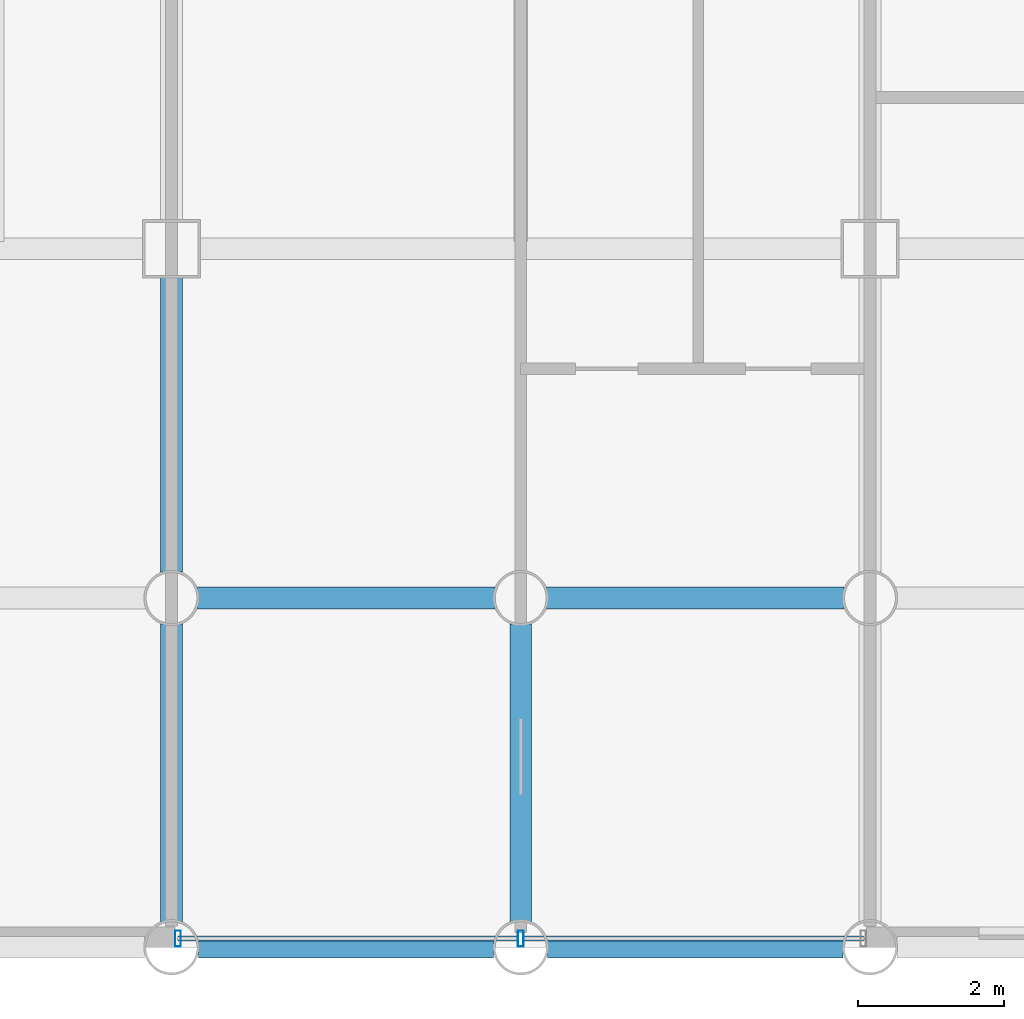
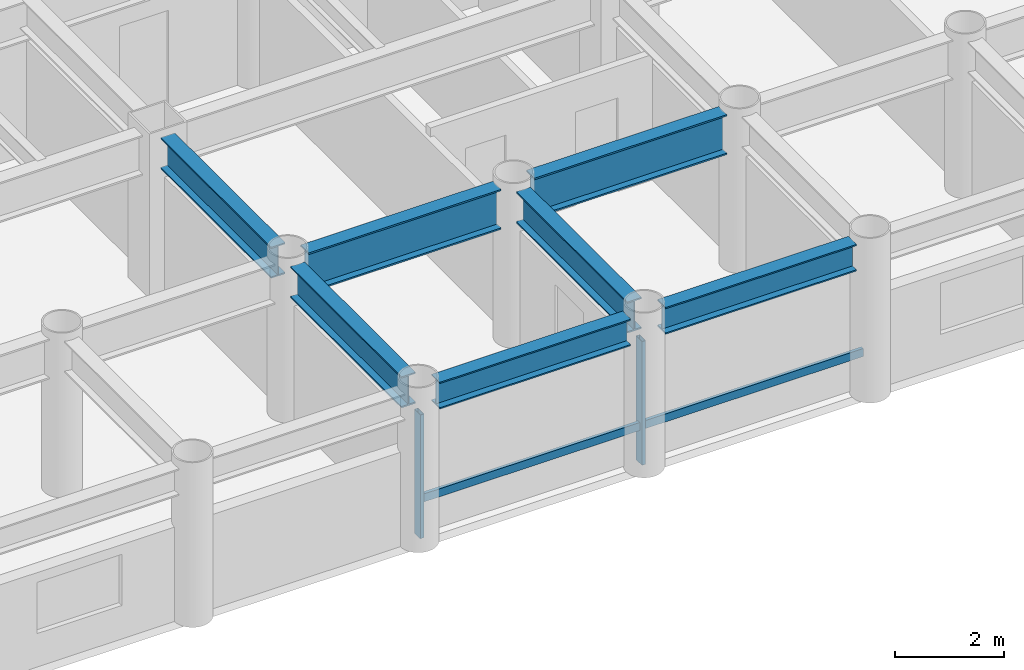
# One storey, part 2 of 20: 7 beams, 4 members, 1 element without a shape of its own.
"""IFC4 building model written with IfcOpenShell, lengths in metres."""

from ifc_helpers import new_model, si_unit, direction, frame, origin, origin_2d, place, context, subcontext, project, spatial, hollow_rectangle, i_section, extrude, material, layer, layer_set, material_profile, profile_set, type_object, element, aggregate, save


model = new_model("IFC4")

# Units and contexts
model_context = context("Model", 3, precision=1e-05, world=origin(), true_north=direction((0.0, 1.0)))
body_context = subcontext(model_context, "Body", "Model", "MODEL_VIEW")
ifc_project = project(units=[si_unit("LENGTHUNIT", "METRE"), si_unit("AREAUNIT", "SQUARE_METRE"), si_unit("VOLUMEUNIT", "CUBIC_METRE"), si_unit("PLANEANGLEUNIT", "RADIAN"), si_unit("MASSUNIT", "GRAM", prefix="KILO")], contexts=[model_context])

# Site, building, storey
site_placement = place(None, origin())
site = spatial("IfcSite", under=ifc_project, at=site_placement, CompositionType="ELEMENT")
building_placement = place(site_placement, origin())
building = spatial("IfcBuilding", under=site, at=building_placement, Name="Kallvorn Hotel Tower", CompositionType="ELEMENT")
storey_placement = place(building_placement, frame((0.0, 0.0, 78.10009765625)))
storey = spatial("IfcBuildingStorey", under=building, at=storey_placement, Name="L18", CompositionType="ELEMENT", Elevation=78.10009765625)

# Beams
ifc_material_1 = material(Name="Structural steel S355JR", Category="steel")
ifc_material_profile_1 = material_profile(ifc_material_1, i_section(OverallWidth=0.300048828125, OverallDepth=0.60009765625, WebThickness=0.015380859375, FlangeThickness=0.030029296875, at=origin_2d()), Name="HE 600 B")
ifc_profile_set_1 = profile_set([ifc_material_profile_1], Name="Structural steel S355JR")
beam_type_1 = type_object("IfcBeamType", Name="BM_HE600B", PredefinedType="SPANDREL", material=ifc_profile_set_1)
for number, where, z_axis, x_axis, name in (
    (1, (-4.428955078125, -24.0, 3.219970703125), (1.0, 0.0, 0.0), (0.0, 1.0, 0.0), "L19 Perimeter Spandrel 155"),
    (2, (0.37109375, -24.0, 3.219970703125), (1.0, 0.0, 0.0), (0.0, 1.0, 0.0), "L19 Perimeter Spandrel 156"),
):
    element("IfcBeam", number, at=place(storey_placement, frame(where, z_axis=z_axis, x_axis=x_axis)), inside=storey, type_object=beam_type_1, Name=name, PredefinedType="SPANDREL", context=body_context, shape_type="SweptSolid", body=[
        extrude(i_section(OverallWidth=0.300048828125, OverallDepth=0.60009765625, WebThickness=0.015380859375, FlangeThickness=0.030029296875, at=origin_2d()), origin(), (0.0, 0.0, 1.0), 4.057861328125),
    ])
ifc_material_2 = material(Name="Structural steel S355JR", Category="steel")
ifc_material_profile_2 = material_profile(ifc_material_2, i_section(OverallWidth=0.300048828125, OverallDepth=0.699951171875, WebThickness=0.01708984375, FlangeThickness=0.031982421875, at=origin_2d()), Name="HE 700 B")
ifc_profile_set_2 = profile_set([ifc_material_profile_2], Name="Structural steel S355JR")
beam_type_2 = type_object("IfcBeamType", Name="BM_HE700B", PredefinedType="BEAM", material=ifc_profile_set_2)
beam_1_placement = place(storey_placement, frame((-4.800048828125, -23.64404296875, 3.169921875), z_axis=(0.0, 1.0, 0.0), x_axis=(-1.0, 0.0, 0.0)))
element("IfcBeam", 3, at=beam_1_placement, inside=storey, type_object=beam_type_2, Name="L19 Primary Y-Girder 105", PredefinedType="BEAM", context=body_context, shape_type="SweptSolid", body=[
    extrude(i_section(OverallWidth=0.300048828125, OverallDepth=0.699951171875, WebThickness=0.01708984375, FlangeThickness=0.031982421875, at=origin_2d()), origin(), (0.0, 0.0, 1.0), 4.088134765625),
])
beam_2_placement = place(storey_placement, frame((-4.800048828125, -18.843994140625, 3.169921875), z_axis=(0.0, 1.0, 0.0), x_axis=(-1.0, 0.0, 0.0)))
element("IfcBeam", 4, at=beam_2_placement, inside=storey, type_object=beam_type_2, Name="L19 Primary Y-Girder 106", PredefinedType="BEAM", context=body_context, shape_type="SweptSolid", body=[
    extrude(i_section(OverallWidth=0.300048828125, OverallDepth=0.699951171875, WebThickness=0.01708984375, FlangeThickness=0.031982421875, at=origin_2d()), origin(), (0.0, 0.0, 1.0), 4.069091796875),
])
beam_3_placement = place(storey_placement, frame((0.0, -23.64404296875, 3.169921875), z_axis=(0.0, 1.0, 0.0), x_axis=(-1.0, 0.0, 0.0)))
element("IfcBeam", 5, at=beam_3_placement, inside=storey, type_object=beam_type_2, Name="L19 Primary Y-Girder 110", PredefinedType="BEAM", context=body_context, shape_type="SweptSolid", body=[
    extrude(i_section(OverallWidth=0.300048828125, OverallDepth=0.699951171875, WebThickness=0.01708984375, FlangeThickness=0.031982421875, at=origin_2d()), origin(), (0.0, 0.0, 1.0), 4.088134765625),
])
ifc_material_3 = material(Name="Structural steel S355JR", Category="steel")
ifc_material_profile_3 = material_profile(ifc_material_3, i_section(OverallWidth=0.300048828125, OverallDepth=0.89990234375, WebThickness=0.0185546875, FlangeThickness=0.034912109375, at=origin_2d()), Name="HE 900 B")
ifc_profile_set_3 = profile_set([ifc_material_profile_3], Name="Structural steel S355JR")
beam_type_3 = type_object("IfcBeamType", Name="BM_HE900B", PredefinedType="BEAM", material=ifc_profile_set_3)
for number, where, z_axis, x_axis, name in (
    (6, (-4.444091796875, -19.199951171875, 3.06982421875), (1.0, 0.0, 0.0), (0.0, 1.0, 0.0), "L19 Primary X-Girder 06"),
    (7, (0.35595703125, -19.199951171875, 3.06982421875), (1.0, 0.0, 0.0), (0.0, 1.0, 0.0), "L19 Primary X-Girder 07"),
):
    element("IfcBeam", number, at=place(storey_placement, frame(where, z_axis=z_axis, x_axis=x_axis)), inside=storey, type_object=beam_type_3, Name=name, PredefinedType="BEAM", context=body_context, shape_type="SweptSolid", body=[
        extrude(i_section(OverallWidth=0.300048828125, OverallDepth=0.89990234375, WebThickness=0.0185546875, FlangeThickness=0.034912109375, at=origin_2d()), origin(), (0.0, 0.0, 1.0), 4.088134765625),
    ])

# Curtain wall, members
ifc_material_4 = material(Name="Thermally broken black-anodised aluminium AA 6063-T6", Category="aluminium")
ifc_layer = layer(ifc_material_4, 0.199951171875)
ifc_layer_set = layer_set([ifc_layer], Name="CW_SYS_3_HOTEL_LOW")
curtain_wall_type = type_object("IfcCurtainWallType", Name="CW_SYS_3_HOTEL_LOW", PredefinedType="USERDEFINED", material=ifc_layer_set)
curtain_wall_placement = place(storey_placement, origin())
curtain_wall = element("IfcCurtainWall", 8, at=curtain_wall_placement, inside=storey, type_object=curtain_wall_type, Name="L18 Dark-Glass Curtain Wall CW-L18-SC", ObjectType="UNITISED CURTAIN WALL", PredefinedType="USERDEFINED")
ifc_material_5 = material(Name="Thermally broken black-anodised aluminium AA 6063-T6", Category="aluminium")
ifc_material_profile_4 = material_profile(ifc_material_5, hollow_rectangle(XDim=0.080078125, YDim=0.219970703125, WallThickness=0.0048828125, at=origin_2d()), Name="MUL 220x80")
ifc_profile_set_4 = profile_set([ifc_material_profile_4], Name="Thermally broken black-anodised aluminium AA 6063-T6")
member_type_1 = type_object("IfcMemberType", Name="CW_MULLION_220x80", PredefinedType="MULLION", material=ifc_profile_set_4)
member_1_placement = place(storey_placement, frame((-4.7099609375, -23.8798828125, 0.02001953125), z_axis=(0.0, 0.0, 1.0), x_axis=(1.0, 0.0, 0.0)))
member_1 = element("IfcMember", 9, at=member_1_placement, type_object=member_type_1, Name="CW-L18-SC Mullion 00", PredefinedType="MULLION", context=body_context, shape_type="SweptSolid", body=[
    extrude(hollow_rectangle(XDim=0.080078125, YDim=0.219970703125, WallThickness=0.0048828125, at=origin_2d()), origin(), (0.0, 0.0, 1.0), 2.77978515625),
])
member_2_placement = place(storey_placement, frame((0.0, -23.8798828125, 0.02001953125), z_axis=(0.0, 0.0, 1.0), x_axis=(1.0, 0.0, 0.0)))
member_2 = element("IfcMember", 10, at=member_2_placement, type_object=member_type_1, Name="CW-L18-SC Mullion 01", PredefinedType="MULLION", context=body_context, shape_type="SweptSolid", body=[
    extrude(hollow_rectangle(XDim=0.080078125, YDim=0.219970703125, WallThickness=0.0048828125, at=origin_2d()), origin(), (0.0, 0.0, 1.0), 2.77978515625),
])
ifc_material_6 = material(Name="Thermally broken black-anodised aluminium AA 6063-T6", Category="aluminium")
ifc_material_profile_5 = material_profile(ifc_material_6, hollow_rectangle(XDim=0.070068359375, YDim=0.179931640625, WallThickness=0.00390625, at=origin_2d()), Name="TRN 180x70")
ifc_profile_set_5 = profile_set([ifc_material_profile_5], Name="Thermally broken black-anodised aluminium AA 6063-T6")
member_type_2 = type_object("IfcMemberType", Name="CW_TRANSOM_180x70", PredefinedType="USERDEFINED", material=ifc_profile_set_5)
member_3_placement = place(storey_placement, frame((-4.7099609375, -23.8798828125, 0.849853515625), z_axis=(1.0, 0.0, 0.0), x_axis=(0.0, 1.0, 0.0)))
member_3 = element("IfcMember", 11, at=member_3_placement, type_object=member_type_2, Name="CW-L18-SC Transom 00M", ObjectType="TRANSOM", PredefinedType="USERDEFINED", context=body_context, shape_type="SweptSolid", body=[
    extrude(hollow_rectangle(XDim=0.070068359375, YDim=0.179931640625, WallThickness=0.00390625, at=origin_2d()), origin(), (0.0, 0.0, 1.0), 4.669921875),
])
member_4_placement = place(storey_placement, frame((0.0400390625, -23.8798828125, 0.849853515625), z_axis=(1.0, 0.0, 0.0), x_axis=(0.0, 1.0, 0.0)))
member_4 = element("IfcMember", 12, at=member_4_placement, type_object=member_type_2, Name="CW-L18-SC Transom 01M", ObjectType="TRANSOM", PredefinedType="USERDEFINED", context=body_context, shape_type="SweptSolid", body=[
    extrude(hollow_rectangle(XDim=0.070068359375, YDim=0.179931640625, WallThickness=0.00390625, at=origin_2d()), origin(), (0.0, 0.0, 1.0), 4.669921875),
])
aggregate(curtain_wall, [member_1, member_2, member_3, member_4])

save(model, "model.ifc")
